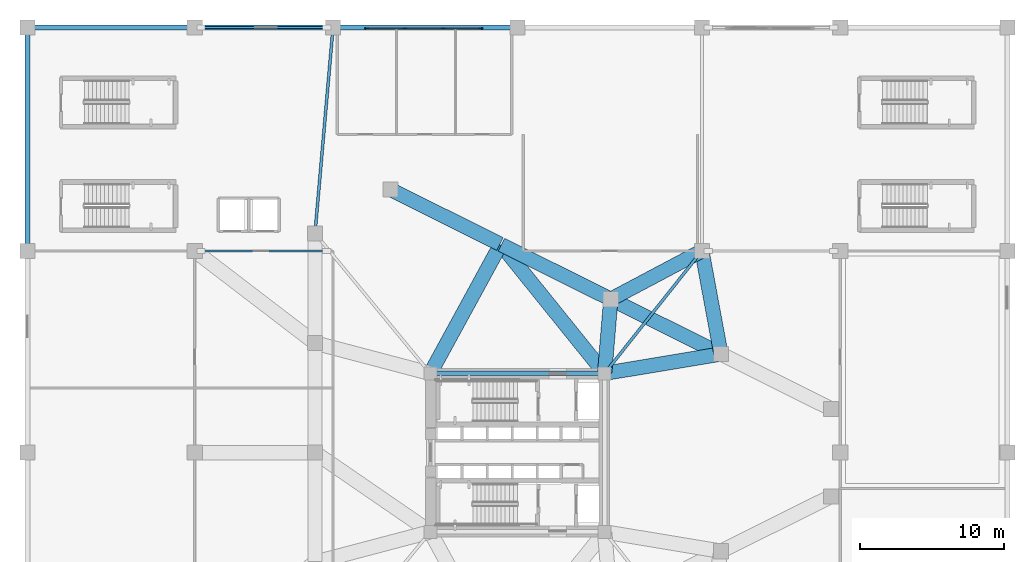
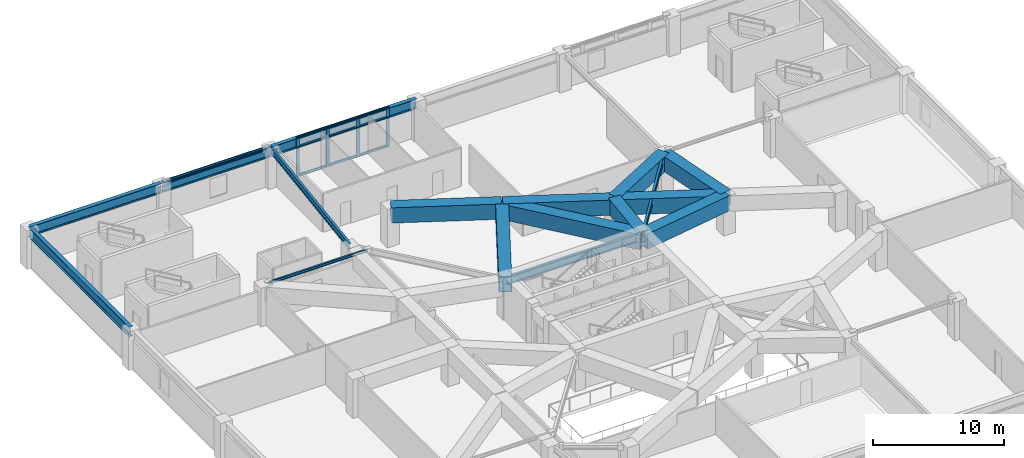
# One storey, part 2 of 16: 16 beams, 15 members, 1 element without a shape of its own.
"""IFC4 building model written with IfcOpenShell, lengths in metres."""

from ifc_helpers import new_model, si_unit, direction, frame, origin, origin_2d, place, context, subcontext, project, spatial, rectangle, hollow_rectangle, i_section, extrude, source, transform, mapped, material, layer, layer_set, material_profile, profile_set, type_object, element, aggregate, save


model = new_model("IFC4")

# Units and contexts
model_context = context("Model", 3, precision=1e-05, world=origin(), true_north=direction((0.0, 1.0)))
body_context = subcontext(model_context, "Body", "Model", "MODEL_VIEW")
ifc_project = project(units=[si_unit("LENGTHUNIT", "METRE"), si_unit("AREAUNIT", "SQUARE_METRE"), si_unit("VOLUMEUNIT", "CUBIC_METRE"), si_unit("PLANEANGLEUNIT", "RADIAN"), si_unit("MASSUNIT", "GRAM", prefix="KILO")], contexts=[model_context])

# Site, building, storey
site_placement = place(None, origin())
site = spatial("IfcSite", under=ifc_project, at=site_placement, CompositionType="ELEMENT")
building_placement = place(site_placement, origin())
building = spatial("IfcBuilding", under=site, at=building_placement, Name="Yunling Apex Tower", CompositionType="ELEMENT")
storey_placement = place(building_placement, frame((0.0, 0.0, 16.199951171875)))
storey = spatial("IfcBuildingStorey", under=building, at=storey_placement, Name="L05", CompositionType="ELEMENT", Elevation=16.199951171875)

# Beams
ifc_material_1 = material(Name="Steel Q355B", Category="steel")
ifc_material_profile_1 = material_profile(ifc_material_1, i_section(OverallWidth=0.300048828125, OverallDepth=0.699951171875, WebThickness=0.012939453125, FlangeThickness=0.02392578125, FilletRadius=0.02587890625, at=origin_2d()))
ifc_profile_set_1 = profile_set([ifc_material_profile_1], Name="Steel Q355B")
beam_type_1 = type_object("IfcBeamType", Name="BG-PRI-3", PredefinedType="USERDEFINED", material=ifc_profile_set_1)
shared_shape_1 = source(origin(), body_context, "Body", "SweptSolid", [
    extrude(i_section(OverallWidth=0.300048828125, OverallDepth=0.699951171875, WebThickness=0.012939453125, FlangeThickness=0.02392578125, FilletRadius=0.02587890625, at=origin_2d()), origin(), (0.0, 0.0, 1.0), 11.7998046875),
])
beam_1_placement = place(storey_placement, frame((5.89990234375, 5.5, 3.22998046875), z_axis=(-1.0, 0.0, 0.0), x_axis=(0.0, -1.0, 0.0)))
element("IfcBeam", 1, at=beam_1_placement, inside=storey, type_object=beam_type_1, Name="L05 Core Ring Tie Beam 3", ObjectType="GIRDER", PredefinedType="USERDEFINED", context=body_context, shape_type="MappedRepresentation", body=[
    mapped(shared_shape_1, transform((0.0, 0.0, 0.0), scale=1.0)),
])
ifc_material_profile_2 = material_profile(ifc_material_1, i_section(OverallWidth=0.35009765625, OverallDepth=0.89990234375, WebThickness=0.01806640625, FlangeThickness=0.028076171875, FilletRadius=0.02392578125, at=origin_2d()))
ifc_profile_set_2 = profile_set([ifc_material_profile_2], Name="Steel Q355B")
beam_type_2 = type_object("IfcBeamType", Name="BG-PRI-1", PredefinedType="USERDEFINED", material=ifc_profile_set_2)
shared_shape_2 = source(origin(), body_context, "Body", "SweptSolid", [
    extrude(i_section(OverallWidth=0.35009765625, OverallDepth=0.89990234375, WebThickness=0.01806640625, FlangeThickness=0.028076171875, FilletRadius=0.02392578125, at=origin_2d()), origin(), (0.0, 0.0, 1.0), 11.52001953125),
])
beam_2_placement = place(storey_placement, frame((-33.9599609375, 29.5, 3.130126953125), z_axis=(1.0, 0.0, 0.0), x_axis=(0.0, 1.0, 0.0)))
element("IfcBeam", 2, at=beam_2_placement, inside=storey, type_object=beam_type_2, Name="L05 Podium Edge Girder 7", ObjectType="GIRDER", PredefinedType="USERDEFINED", context=body_context, shape_type="MappedRepresentation", body=[
    mapped(shared_shape_2, transform((0.0, 0.0, 0.0), scale=1.0)),
])
shared_shape_3 = source(origin(), body_context, "Body", "SweptSolid", [
    extrude(i_section(OverallWidth=0.35009765625, OverallDepth=0.89990234375, WebThickness=0.01806640625, FlangeThickness=0.028076171875, FilletRadius=0.02392578125, at=origin_2d()), origin(), (0.0, 0.0, 1.0), 9.52001953125),
])
beam_3_placement = place(storey_placement, frame((-22.360107421875, 29.5, 3.130126953125), z_axis=(1.0, 0.0, 0.0), x_axis=(0.0, 1.0, 0.0)))
element("IfcBeam", 3, at=beam_3_placement, inside=storey, type_object=beam_type_2, Name="L05 Podium Edge Girder 8", ObjectType="GIRDER", PredefinedType="USERDEFINED", context=body_context, shape_type="MappedRepresentation", body=[
    mapped(shared_shape_3, transform((0.0, 0.0, 0.0), scale=1.0)),
])
shared_shape_4 = source(origin(), body_context, "Body", "SweptSolid", [
    extrude(i_section(OverallWidth=0.35009765625, OverallDepth=0.89990234375, WebThickness=0.01806640625, FlangeThickness=0.028076171875, FilletRadius=0.02392578125, at=origin_2d()), origin(), (0.0, 0.0, 1.0), 12.719970703125),
])
beam_4_placement = place(storey_placement, frame((-12.760009765625, 29.5, 3.130126953125), z_axis=(1.0, 0.0, 0.0), x_axis=(0.0, 1.0, 0.0)))
element("IfcBeam", 4, at=beam_4_placement, inside=storey, type_object=beam_type_2, Name="L05 Podium Edge Girder 9", ObjectType="GIRDER", PredefinedType="USERDEFINED", context=body_context, shape_type="MappedRepresentation", body=[
    mapped(shared_shape_4, transform((0.0, 0.0, 0.0), scale=1.0)),
])
shared_shape_5 = source(origin(), body_context, "Body", "SweptSolid", [
    extrude(i_section(OverallWidth=0.35009765625, OverallDepth=0.89990234375, WebThickness=0.01806640625, FlangeThickness=0.028076171875, FilletRadius=0.02392578125, at=origin_2d()), origin(), (0.0, 0.0, 1.0), 15.419921875),
])
beam_5_placement = place(storey_placement, frame((-34.0, 14.0400390625, 3.130126953125), z_axis=(0.0, 1.0, 0.0), x_axis=(-1.0, 0.0, 0.0)))
element("IfcBeam", 5, at=beam_5_placement, inside=storey, type_object=beam_type_2, Name="L05 Podium Side Girder 16", ObjectType="GIRDER", PredefinedType="USERDEFINED", context=body_context, shape_type="MappedRepresentation", body=[
    mapped(shared_shape_5, transform((0.0, 0.0, 0.0), scale=1.0)),
])
ifc_material_profile_3 = material_profile(ifc_material_1, i_section(OverallWidth=0.199951171875, OverallDepth=0.550048828125, WebThickness=0.010009765625, FlangeThickness=0.01611328125, FilletRadius=0.02001953125, at=origin_2d()))
ifc_profile_set_3 = profile_set([ifc_material_profile_3], Name="Steel Q355B")
beam_type_3 = type_object("IfcBeamType", Name="BS-SEC-1", PredefinedType="BEAM", material=ifc_profile_set_3)
shared_shape_6 = source(origin(), body_context, "Body", "SweptSolid", [
    extrude(i_section(OverallWidth=0.199951171875, OverallDepth=0.550048828125, WebThickness=0.010009765625, FlangeThickness=0.01611328125, FilletRadius=0.02001953125, at=origin_2d()), origin(), (0.0, 0.0, 1.0), 14.255859375),
])
beam_6_placement = place(storey_placement, frame((-12.803466796875, 29.460205078125, 3.304931640625), z_axis=(-0.087340515192, -0.99617851533, 0.0), x_axis=(0.99617851533, -0.087340515192, 0.0)))
element("IfcBeam", 6, at=beam_6_placement, inside=storey, type_object=beam_type_3, Name="L05 Podium Secondary Beam 1", PredefinedType="BEAM", context=body_context, shape_type="MappedRepresentation", body=[
    mapped(shared_shape_6, transform((0.0, 0.0, 0.0), scale=1.0)),
])
shared_shape_7 = source(origin(), body_context, "Body", "SweptSolid", [
    extrude(i_section(OverallWidth=0.199951171875, OverallDepth=0.550048828125, WebThickness=0.010009765625, FlangeThickness=0.01611328125, FilletRadius=0.02001953125, at=origin_2d()), origin(), (0.0, 0.0, 1.0), 10.774169921875),
])
beam_7_placement = place(storey_placement, frame((12.775146484375, 13.96875, 3.304931640625), z_axis=(-0.621872334374, -0.783118637078, 0.0), x_axis=(0.783118637078, -0.621872334374, 0.0)))
element("IfcBeam", 7, at=beam_7_placement, inside=storey, type_object=beam_type_3, Name="L05 Podium Secondary Beam 4", PredefinedType="BEAM", context=body_context, shape_type="MappedRepresentation", body=[
    mapped(shared_shape_7, transform((0.0, 0.0, 0.0), scale=1.0)),
])
ifc_material_2 = material(Name="Steel Q390GJC", Category="steel")
ifc_material_profile_4 = material_profile(ifc_material_2, hollow_rectangle(XDim=1.0, YDim=1.419921875, WallThickness=0.054931640625, at=origin_2d()))
ifc_profile_set_4 = profile_set([ifc_material_profile_4], Name="Steel Q390GJC")
beam_type_4 = type_object("IfcBeamType", Name="BTPOD-1", PredefinedType="USERDEFINED", material=ifc_profile_set_4)
shared_shape_8 = source(origin(), body_context, "Body", "SweptSolid", [
    extrude(hollow_rectangle(XDim=1.0, YDim=1.419921875, WallThickness=0.054931640625, at=origin_2d()), origin(), (0.0, 0.0, 1.0), 8.438720703125),
])
for number, where, z_axis, x_axis, name in (
    (8, (14.076904296875, 6.865966796875, 2.8701171875), (-0.895247327755, 0.445569548047, 0.0), (-0.445569548047, -0.895247327755, 0.0), "L05 Podium-to-Tower Box Transfer Girder 7"),
    (9, (-1.2119140625, 14.475341796875, 2.8701171875), (-0.895235787091, 0.44559273503, 0.0), (-0.44559273503, -0.895235787091, 0.0), "L05 Podium-to-Tower Box Transfer Girder 9"),
):
    element("IfcBeam", number, at=place(storey_placement, frame(where, z_axis=z_axis, x_axis=x_axis)), inside=storey, type_object=beam_type_4, Name=name, ObjectType="GIRDER", PredefinedType="USERDEFINED", context=body_context, shape_type="MappedRepresentation", body=[
        mapped(shared_shape_8, transform((0.0, 0.0, 0.0), scale=1.0)),
    ])
shared_shape_9 = source(origin(), body_context, "Body", "SweptSolid", [
    extrude(hollow_rectangle(XDim=1.0, YDim=1.419921875, WallThickness=0.054931640625, at=origin_2d()), origin(), (0.0, 0.0, 1.0), 8.43896484375),
])
beam_8_placement = place(storey_placement, frame((6.4326171875, 10.670654296875, 2.8701171875), z_axis=(-0.895241531169, 0.445581194476, 0.0), x_axis=(-0.445581194476, -0.895241531169, 0.0)))
element("IfcBeam", 10, at=beam_8_placement, inside=storey, type_object=beam_type_4, Name="L05 Podium-to-Tower Box Transfer Girder 8", ObjectType="GIRDER", PredefinedType="USERDEFINED", context=body_context, shape_type="MappedRepresentation", body=[
    mapped(shared_shape_9, transform((0.0, 0.0, 0.0), scale=1.0)),
])
shared_shape_10 = source(origin(), body_context, "Body", "SweptSolid", [
    extrude(hollow_rectangle(XDim=1.0, YDim=1.419921875, WallThickness=0.054931640625, at=origin_2d()), origin(), (0.0, 0.0, 1.0), 10.09814453125),
])
beam_9_placement = place(storey_placement, frame((-1.19091796875, 14.4091796875, 2.8701171875), z_axis=(-0.478823333743, -0.877911279722, 0.0), x_axis=(0.877911279722, -0.478823333743, 0.0)))
element("IfcBeam", 11, at=beam_9_placement, inside=storey, type_object=beam_type_4, Name="L05 Radial Box Transfer Girder 15", ObjectType="GIRDER", PredefinedType="USERDEFINED", context=body_context, shape_type="MappedRepresentation", body=[
    mapped(shared_shape_10, transform((0.0, 0.0, 0.0), scale=1.0)),
])
shared_shape_11 = source(origin(), body_context, "Body", "SweptSolid", [
    extrude(hollow_rectangle(XDim=1.0, YDim=1.419921875, WallThickness=0.054931640625, at=origin_2d()), origin(), (0.0, 0.0, 1.0), 11.39990234375),
])
beam_10_placement = place(storey_placement, frame((-1.1357421875, 14.414306640625, 2.8701171875), z_axis=(0.627574112185, -0.778556827544, 0.0), x_axis=(0.778556827544, 0.627574112185, 0.0)))
element("IfcBeam", 12, at=beam_10_placement, inside=storey, type_object=beam_type_4, Name="L05 Radial Box Transfer Girder 16", ObjectType="GIRDER", PredefinedType="USERDEFINED", context=body_context, shape_type="MappedRepresentation", body=[
    mapped(shared_shape_11, transform((0.0, 0.0, 0.0), scale=1.0)),
])
shared_shape_12 = source(origin(), body_context, "Body", "SweptSolid", [
    extrude(hollow_rectangle(XDim=1.0, YDim=1.419921875, WallThickness=0.054931640625, at=origin_2d()), origin(), (0.0, 0.0, 1.0), 5.06591796875),
])
beam_11_placement = place(storey_placement, frame((6.473388671875, 10.598388671875, 2.8701171875), z_axis=(-0.082746350871, -0.996570640455, 0.0), x_axis=(0.996570640455, -0.082746350871, 0.0)))
element("IfcBeam", 13, at=beam_11_placement, inside=storey, type_object=beam_type_4, Name="L05 Radial Box Transfer Girder 11", ObjectType="GIRDER", PredefinedType="USERDEFINED", context=body_context, shape_type="MappedRepresentation", body=[
    mapped(shared_shape_12, transform((0.0, 0.0, 0.0), scale=1.0)),
])
shared_shape_13 = source(origin(), body_context, "Body", "SweptSolid", [
    extrude(hollow_rectangle(XDim=1.0, YDim=1.419921875, WallThickness=0.054931640625, at=origin_2d()), origin(), (0.0, 0.0, 1.0), 7.05615234375),
])
beam_12_placement = place(storey_placement, frame((6.521484375, 10.671630859375, 2.8701171875), z_axis=(0.883531092966, 0.468372509613, 0.0), x_axis=(-0.468372509613, 0.883531092966, 0.0)))
element("IfcBeam", 14, at=beam_12_placement, inside=storey, type_object=beam_type_4, Name="L05 Radial Box Transfer Girder 12", ObjectType="GIRDER", PredefinedType="USERDEFINED", context=body_context, shape_type="MappedRepresentation", body=[
    mapped(shared_shape_13, transform((0.0, 0.0, 0.0), scale=1.0)),
])
shared_shape_14 = source(origin(), body_context, "Body", "SweptSolid", [
    extrude(hollow_rectangle(XDim=1.0, YDim=1.419921875, WallThickness=0.054931640625, at=origin_2d()), origin(), (0.0, 0.0, 1.0), 7.17724609375),
])
beam_13_placement = place(storey_placement, frame((14.11279296875, 6.892822265625, 2.8701171875), z_axis=(-0.181644644471, 0.983364237267, 0.0), x_axis=(-0.983364237267, -0.181644644471, 0.0)))
element("IfcBeam", 15, at=beam_13_placement, inside=storey, type_object=beam_type_4, Name="L05 Radial Box Transfer Girder 9", ObjectType="GIRDER", PredefinedType="USERDEFINED", context=body_context, shape_type="MappedRepresentation", body=[
    mapped(shared_shape_14, transform((0.0, 0.0, 0.0), scale=1.0)),
])
shared_shape_15 = source(origin(), body_context, "Body", "SweptSolid", [
    extrude(hollow_rectangle(XDim=1.0, YDim=1.419921875, WallThickness=0.054931640625, at=origin_2d()), origin(), (0.0, 0.0, 1.0), 8.082763671875),
])
beam_14_placement = place(storey_placement, frame((14.072509765625, 6.83544921875, 2.8701171875), z_axis=(-0.986428188904, -0.164193264587, 0.0), x_axis=(0.164193264587, -0.986428188904, 0.0)))
element("IfcBeam", 16, at=beam_14_placement, inside=storey, type_object=beam_type_4, Name="L05 Radial Box Transfer Girder 10", ObjectType="GIRDER", PredefinedType="USERDEFINED", context=body_context, shape_type="MappedRepresentation", body=[
    mapped(shared_shape_15, transform((0.0, 0.0, 0.0), scale=1.0)),
])

# Members
ifc_material_profile_5 = material_profile(ifc_material_1, i_section(OverallWidth=0.14990234375, OverallDepth=0.25, WebThickness=0.008056640625, FlangeThickness=0.011962890625, FilletRadius=0.011962890625, at=origin_2d()))
ifc_profile_set_5 = profile_set([ifc_material_profile_5], Name="Steel Q355B")
member_type_1 = type_object("IfcMemberType", Name="CR-PUR-2", PredefinedType="PURLIN", material=ifc_profile_set_5)
shared_shape_16 = source(origin(), body_context, "Body", "SweptSolid", [
    extrude(i_section(OverallWidth=0.14990234375, OverallDepth=0.25, WebThickness=0.008056640625, FlangeThickness=0.011962890625, FilletRadius=0.011962890625, at=origin_2d()), origin(), (0.0, 0.0, 1.0), 8.719970703125),
])
for number, where, z_axis, x_axis, name in (
    (17, (-21.9599609375, 14.0, 3.455078125), (1.0, 0.0, 0.0), (0.0, 1.0, 0.0), "L05 Garden Deck Glazing Purlin 2"),
    (18, (-21.9599609375, 29.5, 3.455078125), (1.0, 0.0, 0.0), (0.0, 1.0, 0.0), "L05 Garden Deck Glazing Purlin 3"),
):
    element("IfcMember", number, at=place(storey_placement, frame(where, z_axis=z_axis, x_axis=x_axis)), inside=storey, type_object=member_type_1, Name=name, PredefinedType="PURLIN", context=body_context, shape_type="MappedRepresentation", body=[
        mapped(shared_shape_16, transform((0.0, 0.0, 0.0), scale=1.0)),
    ])

# Curtain wall, members
ifc_material_3 = material(Name="Bronze anodised aluminium", Category="aluminium")
ifc_layer = layer(ifc_material_3, 0.280029296875)
ifc_layer_set = layer_set([ifc_layer], Name="Bronze anodised aluminium")
curtain_wall_type = type_object("IfcCurtainWallType", Name="CW-SYS-1", PredefinedType="NOTDEFINED", material=ifc_layer_set)
curtain_wall_placement = place(storey_placement, origin())
curtain_wall = element("IfcCurtainWall", 19, at=curtain_wall_placement, inside=storey, type_object=curtain_wall_type, Name="CW-POD-L05-1", PredefinedType="NOTDEFINED")
ifc_material_profile_6 = material_profile(ifc_material_3, rectangle(XDim=0.090087890625, YDim=0.215087890625, at=origin_2d()))
ifc_profile_set_6 = profile_set([ifc_material_profile_6], Name="Bronze anodised aluminium")
member_type_2 = type_object("IfcMemberType", Name="CW-TRN-1", PredefinedType="USERDEFINED", material=ifc_profile_set_6)
shared_shape_17 = source(origin(), body_context, "Body", "SweptSolid", [
    extrude(rectangle(XDim=0.090087890625, YDim=0.215087890625, at=origin_2d()), origin(), (0.0, 0.0, 1.0), 2.540771484375),
])
member_1_placement = place(storey_placement, frame((-10.41455078125, 29.449951171875, 0.045166015625), z_axis=(1.0, 0.0, 0.0), x_axis=(0.0, 1.0, 0.0)))
member_1 = element("IfcMember", 20, at=member_1_placement, type_object=member_type_2, Name="CW-SYS-1 transom 1.1", ObjectType="TRANSOM", PredefinedType="USERDEFINED", context=body_context, shape_type="MappedRepresentation", body=[
    mapped(shared_shape_17, transform((0.0, 0.0, 0.0), scale=1.0)),
])
member_2_placement = place(storey_placement, frame((-10.41455078125, 29.449951171875, 2.72998046875), z_axis=(1.0, 0.0, 0.0), x_axis=(0.0, 1.0, 0.0)))
member_2 = element("IfcMember", 21, at=member_2_placement, type_object=member_type_2, Name="CW-SYS-1 transom 1.2", ObjectType="TRANSOM", PredefinedType="USERDEFINED", context=body_context, shape_type="MappedRepresentation", body=[
    mapped(shared_shape_17, transform((0.0, 0.0, 0.0), scale=1.0)),
])
member_3_placement = place(storey_placement, frame((-10.41455078125, 29.449951171875, 3.53515625), z_axis=(1.0, 0.0, 0.0), x_axis=(0.0, 1.0, 0.0)))
member_3 = element("IfcMember", 22, at=member_3_placement, type_object=member_type_2, Name="CW-SYS-1 transom 1.3", ObjectType="TRANSOM", PredefinedType="USERDEFINED", context=body_context, shape_type="MappedRepresentation", body=[
    mapped(shared_shape_17, transform((0.0, 0.0, 0.0), scale=1.0)),
])
member_4_placement = place(storey_placement, frame((-5.126220703125, 29.449951171875, 0.045166015625), z_axis=(1.0, 0.0, 0.0), x_axis=(0.0, 1.0, 0.0)))
member_4 = element("IfcMember", 23, at=member_4_placement, type_object=member_type_2, Name="CW-SYS-1 transom 3.1", ObjectType="TRANSOM", PredefinedType="USERDEFINED", context=body_context, shape_type="MappedRepresentation", body=[
    mapped(shared_shape_17, transform((0.0, 0.0, 0.0), scale=1.0)),
])
member_5_placement = place(storey_placement, frame((-5.126220703125, 29.449951171875, 2.72998046875), z_axis=(1.0, 0.0, 0.0), x_axis=(0.0, 1.0, 0.0)))
member_5 = element("IfcMember", 24, at=member_5_placement, type_object=member_type_2, Name="CW-SYS-1 transom 3.2", ObjectType="TRANSOM", PredefinedType="USERDEFINED", context=body_context, shape_type="MappedRepresentation", body=[
    mapped(shared_shape_17, transform((0.0, 0.0, 0.0), scale=1.0)),
])
member_6_placement = place(storey_placement, frame((-5.126220703125, 29.449951171875, 3.53515625), z_axis=(1.0, 0.0, 0.0), x_axis=(0.0, 1.0, 0.0)))
member_6 = element("IfcMember", 25, at=member_6_placement, type_object=member_type_2, Name="CW-SYS-1 transom 3.3", ObjectType="TRANSOM", PredefinedType="USERDEFINED", context=body_context, shape_type="MappedRepresentation", body=[
    mapped(shared_shape_17, transform((0.0, 0.0, 0.0), scale=1.0)),
])
shared_shape_18 = source(origin(), body_context, "Body", "SweptSolid", [
    extrude(rectangle(XDim=0.090087890625, YDim=0.215087890625, at=origin_2d()), origin(), (0.0, 0.0, 1.0), 2.58544921875),
])
member_7_placement = place(storey_placement, frame((-7.792724609375, 29.449951171875, 0.045166015625), z_axis=(1.0, 0.0, 0.0), x_axis=(0.0, 1.0, 0.0)))
member_7 = element("IfcMember", 26, at=member_7_placement, type_object=member_type_2, Name="CW-SYS-1 transom 2.1", ObjectType="TRANSOM", PredefinedType="USERDEFINED", context=body_context, shape_type="MappedRepresentation", body=[
    mapped(shared_shape_18, transform((0.0, 0.0, 0.0), scale=1.0)),
])
member_8_placement = place(storey_placement, frame((-7.792724609375, 29.449951171875, 2.72998046875), z_axis=(1.0, 0.0, 0.0), x_axis=(0.0, 1.0, 0.0)))
member_8 = element("IfcMember", 27, at=member_8_placement, type_object=member_type_2, Name="CW-SYS-1 transom 2.2", ObjectType="TRANSOM", PredefinedType="USERDEFINED", context=body_context, shape_type="MappedRepresentation", body=[
    mapped(shared_shape_18, transform((0.0, 0.0, 0.0), scale=1.0)),
])
member_9_placement = place(storey_placement, frame((-7.792724609375, 29.449951171875, 3.53515625), z_axis=(1.0, 0.0, 0.0), x_axis=(0.0, 1.0, 0.0)))
member_9 = element("IfcMember", 28, at=member_9_placement, type_object=member_type_2, Name="CW-SYS-1 transom 2.3", ObjectType="TRANSOM", PredefinedType="USERDEFINED", context=body_context, shape_type="MappedRepresentation", body=[
    mapped(shared_shape_18, transform((0.0, 0.0, 0.0), scale=1.0)),
])
ifc_material_profile_7 = material_profile(ifc_material_3, rectangle(XDim=0.090087890625, YDim=0.280029296875, at=origin_2d()))
ifc_profile_set_7 = profile_set([ifc_material_profile_7], Name="Bronze anodised aluminium")
member_type_3 = type_object("IfcMemberType", Name="CW-MUL-1", PredefinedType="MULLION", material=ifc_profile_set_7)
shared_shape_19 = source(origin(), body_context, "Body", "SweptSolid", [
    extrude(rectangle(XDim=0.090087890625, YDim=0.280029296875, at=origin_2d()), origin(), (0.0, 0.0, 1.0), 3.68017578125),
])
member_10_placement = place(storey_placement, frame((-10.455078125, 29.449951171875, -0.050048828125), z_axis=(0.0, 0.0, 1.0), x_axis=(0.0, 1.0, 0.0)))
member_10 = element("IfcMember", 29, at=member_10_placement, type_object=member_type_3, Name="CW-SYS-1 mullion 1", PredefinedType="MULLION", context=body_context, shape_type="MappedRepresentation", body=[
    mapped(shared_shape_19, transform((0.0, 0.0, 0.0), scale=1.0)),
])
member_11_placement = place(storey_placement, frame((-7.833251953125, 29.449951171875, -0.050048828125), z_axis=(0.0, 0.0, 1.0), x_axis=(0.0, 1.0, 0.0)))
member_11 = element("IfcMember", 30, at=member_11_placement, type_object=member_type_3, Name="CW-SYS-1 mullion 2", PredefinedType="MULLION", context=body_context, shape_type="MappedRepresentation", body=[
    mapped(shared_shape_19, transform((0.0, 0.0, 0.0), scale=1.0)),
])
member_12_placement = place(storey_placement, frame((-5.166748046875, 29.449951171875, -0.050048828125), z_axis=(0.0, 0.0, 1.0), x_axis=(0.0, 1.0, 0.0)))
member_12 = element("IfcMember", 31, at=member_12_placement, type_object=member_type_3, Name="CW-SYS-1 mullion 3", PredefinedType="MULLION", context=body_context, shape_type="MappedRepresentation", body=[
    mapped(shared_shape_19, transform((0.0, 0.0, 0.0), scale=1.0)),
])
member_13_placement = place(storey_placement, frame((-2.544921875, 29.449951171875, -0.050048828125), z_axis=(0.0, 0.0, 1.0), x_axis=(0.0, 1.0, 0.0)))
member_13 = element("IfcMember", 32, at=member_13_placement, type_object=member_type_3, Name="CW-SYS-1 mullion 4", PredefinedType="MULLION", context=body_context, shape_type="MappedRepresentation", body=[
    mapped(shared_shape_19, transform((0.0, 0.0, 0.0), scale=1.0)),
])
aggregate(curtain_wall, [member_10, member_11, member_12, member_13, member_1, member_2, member_3, member_7, member_8, member_9, member_4, member_5, member_6])

save(model, "model.ifc")
